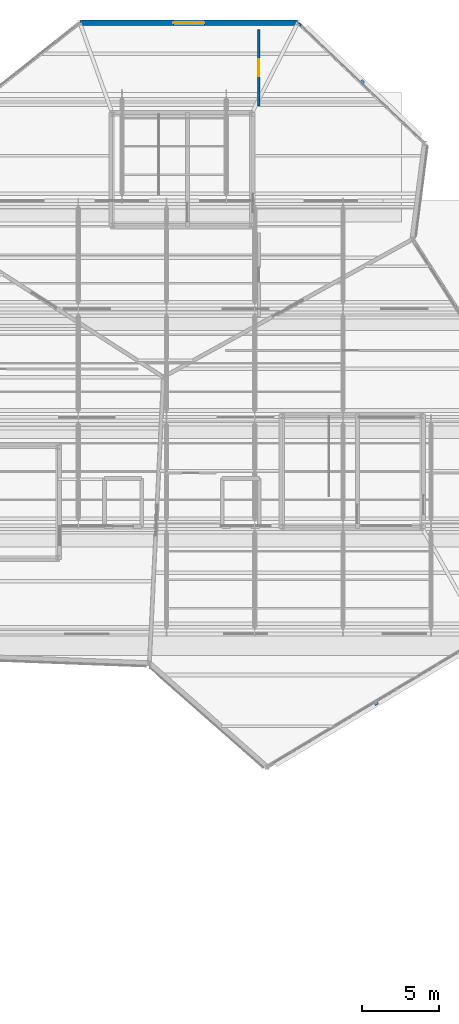
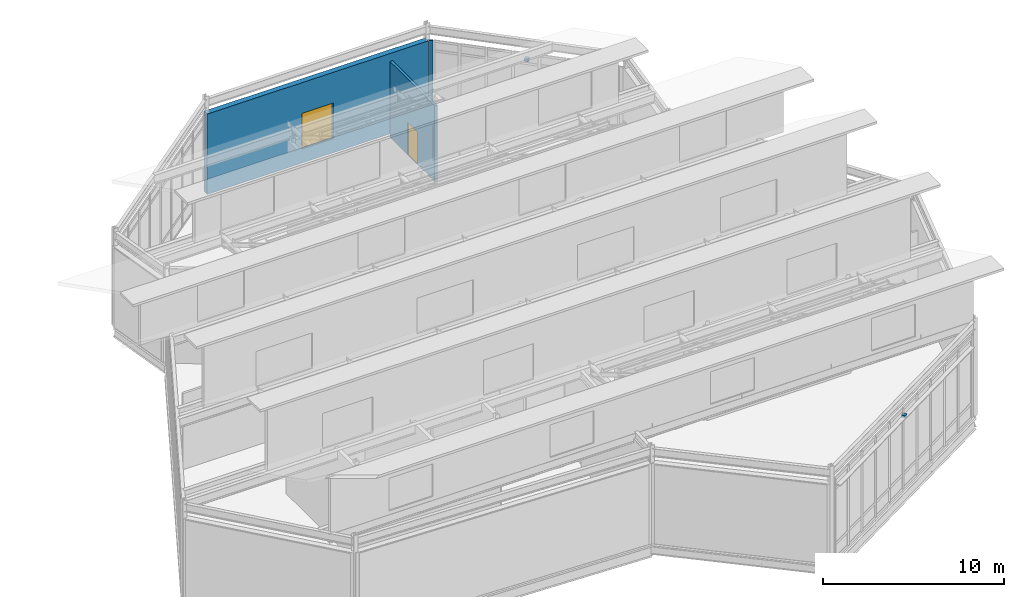
# One storey, part 54 of 55: 3 walls, 2 discrete accessories, 1 door, 1 window, 2 openings.
"""IFC4 building model written with IfcOpenShell, lengths in metres."""

from ifc_helpers import new_model, si_unit, direction, frame, frame_2d, origin, origin_2d, place, context, subcontext, project, spatial, rectangle, extrude, material, layer, layer_set, type_object, element, fill, save


model = new_model("IFC4")

# Units and contexts
model_context = context("Model", 3, precision=1e-05, world=origin(), true_north=direction((0.0, 1.0)))
body_context = subcontext(model_context, "Body", "Model", "MODEL_VIEW")
ifc_project = project(units=[si_unit("LENGTHUNIT", "METRE"), si_unit("AREAUNIT", "SQUARE_METRE"), si_unit("VOLUMEUNIT", "CUBIC_METRE"), si_unit("PLANEANGLEUNIT", "RADIAN"), si_unit("MASSUNIT", "GRAM", prefix="KILO")], contexts=[model_context])

# Site, building, storey
site_placement = place(None, origin())
site = spatial("IfcSite", under=ifc_project, at=site_placement, CompositionType="ELEMENT")
building_placement = place(site_placement, origin())
building = spatial("IfcBuilding", under=site, at=building_placement, Name="Tameran Prism Museum", CompositionType="ELEMENT")
storey_placement = place(building_placement, frame((0.0, 0.0, 28.800048828125)))
storey = spatial("IfcBuildingStorey", under=building, at=storey_placement, Name="L05", CompositionType="ELEMENT", Elevation=28.800048828125)

# Wall
ifc_material_1 = material(Name="Precast Concrete N40 (40 MPa)", Category="concrete")
ifc_layer_1 = layer(ifc_material_1, 0.094970703125)
ifc_layer_set_1 = layer_set([ifc_layer_1])
wall_type_1 = type_object("IfcWallType", Name="EW-CLOS-095", PredefinedType="SOLIDWALL", material=ifc_layer_set_1)
wall_1_placement = place(storey_placement, frame((127.530029296875, 111.970947265625, 0.0), z_axis=(0.0, 0.0, 1.0), x_axis=(0.726243974232, -0.687437044311, 0.0)))
element("IfcWall", 1, at=wall_1_placement, inside=storey, type_object=wall_type_1, Name="Facade Corner Closure EW-0465", PredefinedType="SOLIDWALL", context=body_context, shape_type="SweptSolid", body=[
    extrude(rectangle(XDim=0.308349609375, YDim=0.094970703125, at=frame_2d((0.154296875, 0.0))), origin(), (0.0, 0.0, 1.0), 5.419921875),
])

# Wall, opening, window
ifc_material_2 = material(Name="Precast Concrete N40 (40 MPa)", Category="concrete")
ifc_layer_2 = layer(ifc_material_2, 0.340087890625)
ifc_layer_set_2 = layer_set([ifc_layer_2])
wall_type_2 = type_object("IfcWallType", Name="EW-GAL-340", PredefinedType="SOLIDWALL", material=ifc_layer_set_2)
wall_2_placement = place(storey_placement, frame((113.39990234375, 112.0, 0.0), z_axis=(0.0, 0.0, 1.0), x_axis=(1.0, 0.0, 0.0)))
wall_2 = element("IfcWall", 2, at=wall_2_placement, inside=storey, type_object=wall_type_2, Name="Exterior Fluted Precast Wall EW-0467", PredefinedType="SOLIDWALL", context=body_context, shape_type="SweptSolid", body=[
    extrude(rectangle(XDim=14.10009765625, YDim=0.340087890625, at=frame_2d((7.050048828125, 0.0))), origin(), (0.0, 0.0, 1.0), 5.419921875),
])
opening_1_placement = place(wall_2_placement, frame((6.050048828125, 0.0, 0.949951171875)))
opening_1 = element("IfcOpeningElement", 3, at=opening_1_placement, cuts=wall_2, Name="Opening W-012", PredefinedType="OPENING", context=body_context, shape_type="SweptSolid", body=[
    extrude(rectangle(XDim=2.0, YDim=2.39990234375, at=frame_2d((1.0, 1.199951171875))), frame((0.0, 0.179931640625, 0.0), z_axis=(0.0, -1.0, 0.0), x_axis=(1.0, 0.0, 0.0)), (0.0, 0.0, 1.0), 0.360107421875),
])
ifc_material_3 = material(Name="Cyclone Laminated Low-E Glass in 6063-T6 Frame", Category="glass")
window_type = type_object("IfcWindowType", Name="WIN-W12", PartitioningType="SINGLE_PANEL", PredefinedType="WINDOW", material=ifc_material_3)
window_placement = place(opening_1_placement, origin())
window = element("IfcWindow", 4, at=window_placement, inside=storey, type_object=window_type, Name="Solar-Shaded Window W-012", OverallHeight=2.39990234375, OverallWidth=2.0, PartitioningType="SINGLE_PANEL", PredefinedType="WINDOW", context=body_context, shape_type="SweptSolid", body=[
    extrude(rectangle(XDim=2.0, YDim=2.39990234375, at=frame_2d((1.0, 1.199951171875))), frame((0.0, 0.030029296875, 0.0), z_axis=(0.0, -1.0, 0.0), x_axis=(1.0, 0.0, 0.0)), (0.0, 0.0, 1.0), 0.06005859375),
])
fill(opening_1, window)

# Wall, opening, door
ifc_material_4 = material(Name="Gallery Plywood-Backed Stud Partition", Category="wood")
ifc_layer_3 = layer(ifc_material_4, 0.169921875)
ifc_layer_set_3 = layer_set([ifc_layer_3])
wall_type_3 = type_object("IfcWallType", Name="IW-PRT-170", PredefinedType="PARTITIONING", material=ifc_layer_set_3)
wall_3_placement = place(storey_placement, frame((124.971923828125, 106.60009765625, 0.0), z_axis=(0.0, 0.0, 1.0), x_axis=(0.0, 1.0, 0.0)))
wall_3 = element("IfcWall", 5, at=wall_3_placement, inside=storey, type_object=wall_type_3, Name="Internal Partition PT-0169", PredefinedType="PARTITIONING", context=body_context, shape_type="SweptSolid", body=[
    extrude(rectangle(XDim=4.949951171875, YDim=0.169921875, at=frame_2d((2.47509765625, 0.0))), origin(), (0.0, 0.0, 1.0), 5.119873046875),
])
opening_2_placement = place(wall_3_placement, frame((1.925048828125, 0.0, 0.0)))
opening_2 = element("IfcOpeningElement", 6, at=opening_2_placement, cuts=wall_3, Name="Opening ID-0168", PredefinedType="OPENING", context=body_context, shape_type="SweptSolid", body=[
    extrude(rectangle(XDim=1.10009765625, YDim=2.199951171875, at=frame_2d((0.550048828125, 1.10009765625))), frame((0.0, 0.094970703125, 0.0), z_axis=(0.0, -1.0, 0.0), x_axis=(1.0, 0.0, 0.0)), (0.0, 0.0, 1.0), 0.18994140625),
])
ifc_material_5 = material(Name="Fire-Rated Steel Door Leaf and Frame", Category="steel")
door_type = type_object("IfcDoorType", Name="DR-INT-110", OperationType="NOTDEFINED", PredefinedType="DOOR", material=ifc_material_5)
door_placement = place(opening_2_placement, origin())
door = element("IfcDoor", 7, at=door_placement, inside=storey, type_object=door_type, Name="Interior Room Door ID-0168", OperationType="SINGLE_SWING_RIGHT", OverallHeight=2.199951171875, OverallWidth=1.10009765625, PredefinedType="DOOR", context=body_context, shape_type="SweptSolid", body=[
    extrude(rectangle(XDim=1.10009765625, YDim=2.199951171875, at=frame_2d((0.550048828125, 1.10009765625))), frame((0.0, 0.02490234375, 0.0), z_axis=(0.0, -1.0, 0.0), x_axis=(1.0, 0.0, 0.0)), (0.0, 0.0, 1.0), 0.050048828125),
])
fill(opening_2, door)

# Discrete accessories
ifc_material_6 = material(Name="Galvanized Steel Grade 350 (350 MPa)", Category="steel")
discrete_accessory_type = type_object("IfcDiscreteAccessoryType", Name="DA-BRK-STL", PredefinedType="BRACKET", material=ifc_material_6)
for number, where, z_axis, x_axis, name in (
    (8, (132.541015625, 68.031005859375, 4.89013671875), (0.0, 0.0, 1.0), (-0.857526656194, -0.514439533782, 0.0), "Facade Sunshade Bracket BK-073"),
    (9, (131.655029296875, 108.157958984375, 4.89013671875), (0.0, 0.0, 1.0), (0.724532846102, -0.689240273721, 0.0), "Facade Sunshade Bracket BK-074"),
):
    element("IfcDiscreteAccessory", number, at=place(storey_placement, frame(where, z_axis=z_axis, x_axis=x_axis)), inside=storey, type_object=discrete_accessory_type, Name=name, PredefinedType="BRACKET", context=body_context, shape_type="SweptSolid", body=[
        extrude(rectangle(XDim=0.239990234375, YDim=0.239990234375, at=origin_2d()), origin(), (0.0, 0.0, 1.0), 0.159912109375),
    ])

save(model, "model.ifc")
